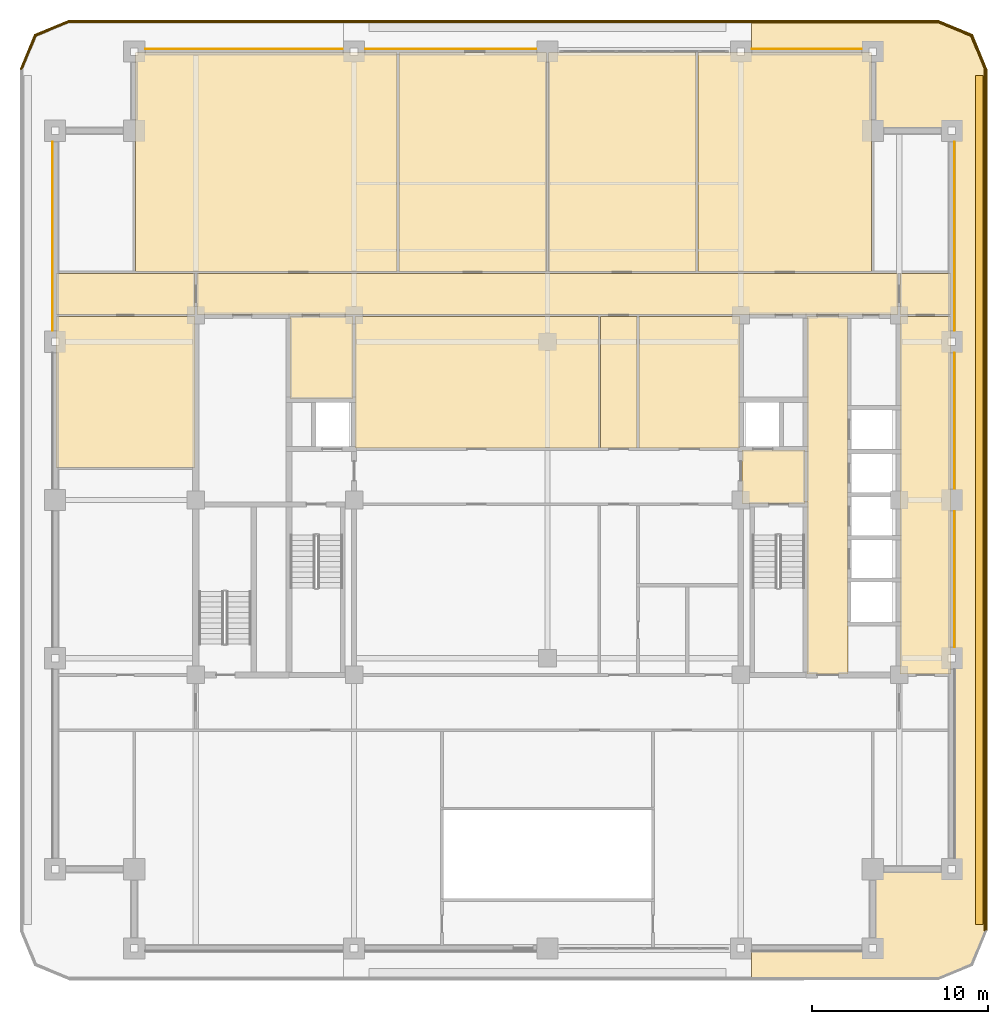
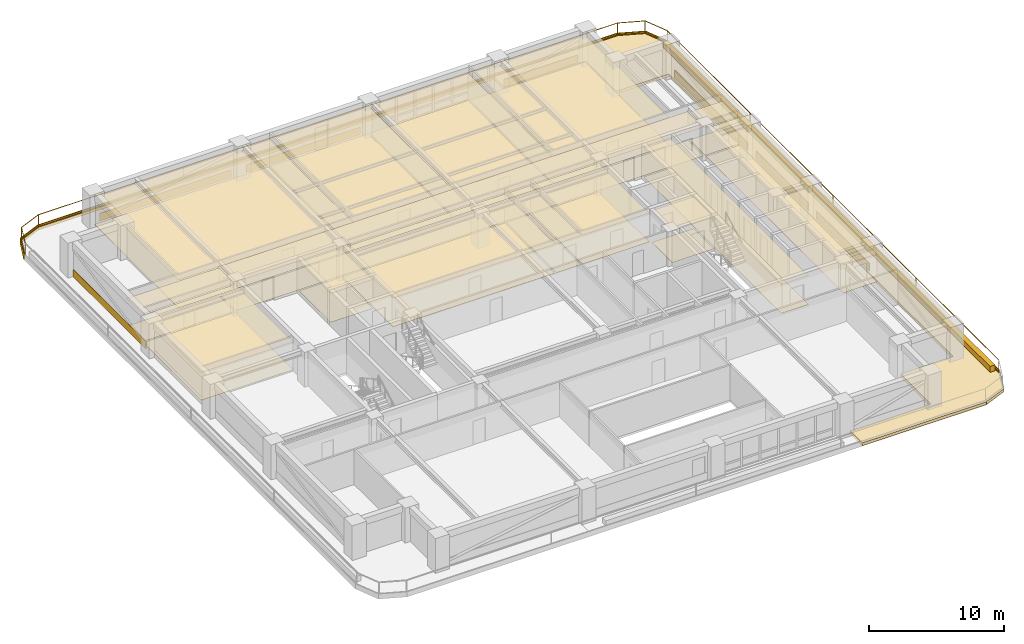
# One storey, part 17 of 17: 45 coverings, 2 railings.
"""IFC4 building model written with IfcOpenShell, lengths in metres."""

from ifc_helpers import new_model, si_unit, direction, frame, frame_2d, origin, origin_2d, place, context, subcontext, project, spatial, polyline, rectangle, outline, extrude, material, layer, layer_set, type_object, element, save


model = new_model("IFC4")

# Units and contexts
model_context = context("Model", 3, precision=1e-05, world=origin(), true_north=direction((0.0, 1.0)))
body_context = subcontext(model_context, "Body", "Model", "MODEL_VIEW")
ifc_project = project(units=[si_unit("LENGTHUNIT", "METRE"), si_unit("AREAUNIT", "SQUARE_METRE"), si_unit("VOLUMEUNIT", "CUBIC_METRE"), si_unit("PLANEANGLEUNIT", "RADIAN"), si_unit("MASSUNIT", "GRAM", prefix="KILO")], contexts=[model_context])

# Site, building, storey
site_placement = place(None, origin())
site = spatial("IfcSite", under=ifc_project, at=site_placement, CompositionType="ELEMENT")
building_placement = place(site_placement, origin())
building = spatial("IfcBuilding", under=site, at=building_placement, Name="Zulmaris Gate Convention Tower", CompositionType="ELEMENT")
storey_placement = place(building_placement, frame((0.0, 0.0, 149.909912109375)))
storey = spatial("IfcBuildingStorey", under=building, at=storey_placement, Name="L38", CompositionType="ELEMENT", Elevation=149.909912109375)

# Coverings
ifc_material_1 = material(Name="Precast concrete C40/50", Category="concrete")
ifc_layer_1 = layer(ifc_material_1, 0.0400390625, Name="Precast concrete C40/50")
ifc_layer_set_1 = layer_set([ifc_layer_1], Name="Precast concrete C40/50")
covering_type_1 = type_object("IfcCoveringType", Name="CLAD-SPANDREL-PRECAST", PredefinedType="CLADDING", material=ifc_layer_set_1)
covering_1_placement = place(storey_placement, frame((-11.6298828125, 25.64990234375, 0.0), z_axis=(0.0, 0.0, 1.0), x_axis=(-1.0, 0.0, 0.0)))
element("IfcCovering", 1, at=covering_1_placement, inside=storey, type_object=covering_type_1, Name="CLD-L38-N-0_0", PredefinedType="CLADDING", context=body_context, shape_type="SweptSolid", body=[
    extrude(rectangle(XDim=11.240234375, YDim=0.0400390625, at=frame_2d((5.6201171875, 0.0))), origin(), (0.0, 0.0, 1.0), 0.679931640625),
])
covering_2_placement = place(storey_placement, frame((-0.6298828125, 25.64990234375, 0.0), z_axis=(0.0, 0.0, 1.0), x_axis=(-1.0, 0.0, 0.0)))
element("IfcCovering", 2, at=covering_2_placement, inside=storey, type_object=covering_type_1, Name="CLD-L38-N-1_0", PredefinedType="CLADDING", context=body_context, shape_type="SweptSolid", body=[
    extrude(rectangle(XDim=9.740234375, YDim=0.0400390625, at=frame_2d((4.8701171875, 0.0))), origin(), (0.0, 0.0, 1.0), 0.679931640625),
])
covering_3_placement = place(storey_placement, frame((17.8701171875, 25.64990234375, 0.0), z_axis=(0.0, 0.0, 1.0), x_axis=(-1.0, 0.0, 0.0)))
element("IfcCovering", 3, at=covering_3_placement, inside=storey, type_object=covering_type_1, Name="CLD-L38-N-3_0", PredefinedType="CLADDING", context=body_context, shape_type="SweptSolid", body=[
    extrude(rectangle(XDim=6.240234375, YDim=0.0400390625, at=frame_2d((3.1201171875, 0.0))), origin(), (0.0, 0.0, 1.0), 0.679931640625),
])
for number, where, z_axis, x_axis, name in (
    (4, (23.14990234375, -8.3701171875, 0.0), (0.0, 0.0, 1.0), (0.0, 1.0, 0.0), "CLD-L38-E-1_0"),
    (5, (23.14990234375, 0.6298828125, 0.0), (0.0, 0.0, 1.0), (0.0, 1.0, 0.0), "CLD-L38-E-2_0"),
):
    element("IfcCovering", number, at=place(storey_placement, frame(where, z_axis=z_axis, x_axis=x_axis)), inside=storey, type_object=covering_type_1, Name=name, PredefinedType="CLADDING", context=body_context, shape_type="SweptSolid", body=[
        extrude(rectangle(XDim=7.740234375, YDim=0.0400390625, at=frame_2d((3.8701171875, 0.0))), origin(), (0.0, 0.0, 1.0), 0.679931640625),
    ])
for number, where, z_axis, x_axis, name in (
    (6, (23.14990234375, 9.6298828125, 0.0), (0.0, 0.0, 1.0), (0.0, 1.0, 0.0), "CLD-L38-E-3_0"),
    (7, (-28.14990234375, 20.3701171875, 0.0), (0.0, 0.0, 1.0), (0.0, -1.0, 0.0), "CLD-L38-W-3_0"),
):
    element("IfcCovering", number, at=place(storey_placement, frame(where, z_axis=z_axis, x_axis=x_axis)), inside=storey, type_object=covering_type_1, Name=name, PredefinedType="CLADDING", context=body_context, shape_type="SweptSolid", body=[
        extrude(rectangle(XDim=10.740234375, YDim=0.0400390625, at=frame_2d((5.3701171875, 0.0))), origin(), (0.0, 0.0, 1.0), 0.679931640625),
    ])
ifc_material_2 = material(Name="White Glazed Architectural Precast Concrete C40/50", Category="concrete")
ifc_layer_2 = layer(ifc_material_2, 0.239990234375, Name="White Glazed Architectural Precast Concrete C40/50")
ifc_layer_set_2 = layer_set([ifc_layer_2], Name="White Glazed Architectural Precast Concrete C40/50")
covering_type_2 = type_object("IfcCoveringType", Name="CLAD-TRAY-DECK", PredefinedType="CLADDING", material=ifc_layer_set_2)
covering_4_placement = place(storey_placement, frame((0.0, 0.0, -0.25)))
element("IfcCovering", 8, at=covering_4_placement, inside=storey, type_object=covering_type_2, Name="L38 East Rounded-Fascia Planter Tray Deck", PredefinedType="CLADDING", context=body_context, shape_type="SweptSolid", body=[
    extrude(outline(polyline([(22.199951171875, 27.300048828125), (24.179931640625, 26.47998046875), (25.0, 24.5), (25.0, -24.5), (24.179931640625, -26.47998046875), (22.199951171875, -27.300048828125), (11.60205078125, -27.300048828125), (11.60205078125, -25.5), (18.5, -25.5), (18.5, -21.0), (23.0, -21.0), (23.0, 21.0), (18.5, 21.0), (18.5, 25.5), (11.60205078125, 25.5), (11.60205078125, 27.300048828125), (22.199951171875, 27.300048828125)])), origin(), (0.0, 0.0, 1.0), 0.260009765625),
])
ifc_layer_3 = layer(ifc_material_2, 0.080078125, Name="White Glazed Architectural Precast Concrete C40/50")
ifc_layer_set_3 = layer_set([ifc_layer_3], Name="White Glazed Architectural Precast Concrete C40/50")
covering_type_3 = type_object("IfcCoveringType", Name="CLAD-TRAY-FASCIA", PredefinedType="CLADDING", material=ifc_layer_set_3)
covering_5_placement = place(storey_placement, frame((24.9599609375, -24.5, -0.2900390625), z_axis=(0.0, 0.0, 1.0), x_axis=(0.0, 1.0, 0.0)))
element("IfcCovering", 9, at=covering_5_placement, inside=storey, type_object=covering_type_3, Name="FSC-L38-TR-05", PredefinedType="CLADDING", context=body_context, shape_type="SweptSolid", body=[
    extrude(rectangle(XDim=49.0, YDim=0.080078125, at=frame_2d((24.5, 0.0))), origin(), (0.0, 0.0, 1.0), 0.4599609375),
])
covering_6_placement = place(storey_placement, frame((24.962890625, 24.484619140625, -0.2900390625), z_axis=(0.0, 0.0, 1.0), x_axis=(-0.382656984709, 0.923890487046, 0.0)))
element("IfcCovering", 10, at=covering_6_placement, inside=storey, type_object=covering_type_3, Name="FSC-L38-TR-06", PredefinedType="CLADDING", context=body_context, shape_type="SweptSolid", body=[
    extrude(rectangle(XDim=2.14306640625, YDim=0.080078125, at=frame_2d((1.071533203125, 0.0))), origin(), (0.0, 0.0, 1.0), 0.4599609375),
])
covering_7_placement = place(storey_placement, frame((24.16455078125, 26.44287109375, -0.2900390625), z_axis=(0.0, 0.0, 1.0), x_axis=(-0.923873803533, 0.382697263049, 0.0)))
element("IfcCovering", 11, at=covering_7_placement, inside=storey, type_object=covering_type_3, Name="FSC-L38-TR-07", PredefinedType="CLADDING", context=body_context, shape_type="SweptSolid", body=[
    extrude(rectangle(XDim=2.142822265625, YDim=0.080078125, at=frame_2d((1.0712890625, 0.0))), origin(), (0.0, 0.0, 1.0), 0.4599609375),
])
covering_8_placement = place(storey_placement, frame((22.199951171875, 27.260009765625, -0.2900390625), z_axis=(0.0, 0.0, 1.0), x_axis=(-1.0, 0.0, 0.0)))
element("IfcCovering", 12, at=covering_8_placement, inside=storey, type_object=covering_type_3, Name="FSC-L38-TR-08", PredefinedType="CLADDING", context=body_context, shape_type="SweptSolid", body=[
    extrude(rectangle(XDim=49.39990234375, YDim=0.080078125, at=frame_2d((24.699951171875, 0.0))), origin(), (0.0, 0.0, 1.0), 0.4599609375),
])
covering_9_placement = place(storey_placement, frame((-27.184814453125, 27.262939453125, -0.2900390625), z_axis=(0.0, 0.0, 1.0), x_axis=(-0.923873803533, -0.382697263049, 0.0)))
element("IfcCovering", 13, at=covering_9_placement, inside=storey, type_object=covering_type_3, Name="FSC-L38-TR-09", PredefinedType="CLADDING", context=body_context, shape_type="SweptSolid", body=[
    extrude(rectangle(XDim=2.142822265625, YDim=0.080078125, at=frame_2d((1.0712890625, 0.0))), origin(), (0.0, 0.0, 1.0), 0.4599609375),
])
covering_10_placement = place(storey_placement, frame((-29.142822265625, 26.464599609375, -0.2900390625), z_axis=(0.0, 0.0, 1.0), x_axis=(-0.382656984709, -0.923890487046, 0.0)))
element("IfcCovering", 14, at=covering_10_placement, inside=storey, type_object=covering_type_3, Name="FSC-L38-TR-10", PredefinedType="CLADDING", context=body_context, shape_type="SweptSolid", body=[
    extrude(rectangle(XDim=2.14306640625, YDim=0.080078125, at=frame_2d((1.071533203125, 0.0))), origin(), (0.0, 0.0, 1.0), 0.4599609375),
])
ifc_material_3 = material(Name="Mineral Fibre Acoustic Ceiling Tile")
ifc_layer_4 = layer(ifc_material_3, 0.02001953125, Name="Mineral Fibre Acoustic Ceiling Tile")
ifc_layer_set_4 = layer_set([ifc_layer_4], Name="Mineral Fibre Acoustic Ceiling Tile")
covering_type_4 = type_object("IfcCoveringType", Name="CLG-ACOUSTIC-600", PredefinedType="CEILING", material=ifc_layer_set_4)
covering_11_placement = place(storey_placement, frame((0.0, 0.0, 2.864990234375)))
element("IfcCovering", 15, at=covering_11_placement, inside=storey, type_object=covering_type_4, Name="CLG-L38-R08", PredefinedType="CEILING", context=body_context, shape_type="SweptSolid", body=[
    extrude(outline(polyline([(11.06005859375, -0.18994140625), (14.639892578125, -0.18994140625), (14.639892578125, 2.840087890625), (11.06005859375, 2.840087890625), (11.06005859375, -0.18994140625)])), origin(), (0.0, 0.0, 1.0), 0.02001953125),
])
covering_12_placement = place(storey_placement, frame((0.0, 0.0, 2.60302734375)))
element("IfcCovering", 16, at=covering_12_placement, inside=storey, type_object=covering_type_4, Name="CLG-L38-R11", PredefinedType="CEILING", context=body_context, shape_type="SweptSolid", body=[
    extrude(outline(polyline([(-14.639892578125, 5.760009765625), (-11.06005859375, 5.760009765625), (-11.06005859375, 10.43994140625), (-14.639892578125, 10.43994140625), (-14.639892578125, 5.760009765625)])), origin(), (0.0, 0.0, 1.0), 0.02001953125),
])
covering_13_placement = place(storey_placement, frame((0.0, 0.0, 2.60302734375)))
element("IfcCovering", 17, at=covering_13_placement, inside=storey, type_object=covering_type_4, Name="CLG-L38-R21", PredefinedType="CEILING", context=body_context, shape_type="SweptSolid", body=[
    extrude(outline(polyline([(14.760009765625, -9.889892578125), (17.090087890625, -9.889892578125), (17.090087890625, 10.43994140625), (14.760009765625, 10.43994140625), (14.760009765625, -9.889892578125)])), origin(), (0.0, 0.0, 1.0), 0.02001953125),
])
covering_14_placement = place(storey_placement, frame((0.0, 0.0, 2.60302734375)))
element("IfcCovering", 18, at=covering_14_placement, inside=storey, type_object=covering_type_4, Name="CLG-L38-R25", PredefinedType="CEILING", context=body_context, shape_type="SweptSolid", body=[
    extrude(outline(polyline([(-19.93994140625, 10.56005859375), (19.93994140625, 10.56005859375), (19.93994140625, 12.889892578125), (-19.93994140625, 12.889892578125), (-19.93994140625, 10.56005859375)])), origin(), (0.0, 0.0, 1.0), 0.02001953125),
])
covering_15_placement = place(storey_placement, frame((0.0, 0.0, 2.60302734375)))
element("IfcCovering", 19, at=covering_15_placement, inside=storey, type_object=covering_type_4, Name="CLG-L38-R28", PredefinedType="CEILING", context=body_context, shape_type="SweptSolid", body=[
    extrude(outline(polyline([(3.010009765625, 2.9599609375), (5.090087890625, 2.9599609375), (5.090087890625, 10.43994140625), (3.010009765625, 10.43994140625), (3.010009765625, 2.9599609375)])), origin(), (0.0, 0.0, 1.0), 0.02001953125),
])
covering_16_placement = place(storey_placement, frame((0.0, 0.0, 2.505126953125)))
element("IfcCovering", 20, at=covering_16_placement, inside=storey, type_object=covering_type_4, Name="CLG-L38-R30", PredefinedType="CEILING", context=body_context, shape_type="SweptSolid", body=[
    extrude(outline(polyline([(-23.43994140625, 13.010009765625), (-8.56005859375, 13.010009765625), (-8.56005859375, 25.43994140625), (-23.43994140625, 25.43994140625), (-23.43994140625, 13.010009765625)])), origin(), (0.0, 0.0, 1.0), 0.02001953125),
])
covering_17_placement = place(storey_placement, frame((0.0, 0.0, 2.505126953125)))
element("IfcCovering", 21, at=covering_17_placement, inside=storey, type_object=covering_type_4, Name="CLG-L38-R31", PredefinedType="CEILING", context=body_context, shape_type="SweptSolid", body=[
    extrude(outline(polyline([(-8.43994140625, 13.010009765625), (-0.06005859375, 13.010009765625), (-0.06005859375, 25.43994140625), (-8.43994140625, 25.43994140625), (-8.43994140625, 13.010009765625)])), origin(), (0.0, 0.0, 1.0), 0.02001953125),
])
covering_18_placement = place(storey_placement, frame((0.0, 0.0, 2.505126953125)))
element("IfcCovering", 22, at=covering_18_placement, inside=storey, type_object=covering_type_4, Name="CLG-L38-R32", PredefinedType="CEILING", context=body_context, shape_type="SweptSolid", body=[
    extrude(outline(polyline([(0.06005859375, 13.010009765625), (8.43994140625, 13.010009765625), (8.43994140625, 25.43994140625), (0.06005859375, 25.43994140625), (0.06005859375, 13.010009765625)])), origin(), (0.0, 0.0, 1.0), 0.02001953125),
])
covering_19_placement = place(storey_placement, frame((0.0, 0.0, 2.505126953125)))
element("IfcCovering", 23, at=covering_19_placement, inside=storey, type_object=covering_type_4, Name="CLG-L38-R33", PredefinedType="CEILING", context=body_context, shape_type="SweptSolid", body=[
    extrude(outline(polyline([(8.56005859375, 13.010009765625), (18.43994140625, 13.010009765625), (18.43994140625, 25.43994140625), (8.56005859375, 25.43994140625), (8.56005859375, 13.010009765625)])), origin(), (0.0, 0.0, 1.0), 0.02001953125),
])
covering_20_placement = place(storey_placement, frame((0.0, 0.0, 2.60302734375)))
element("IfcCovering", 24, at=covering_20_placement, inside=storey, type_object=covering_type_4, Name="CLG-L38-R38", PredefinedType="CEILING", context=body_context, shape_type="SweptSolid", body=[
    extrude(outline(polyline([(-10.93994140625, 2.9599609375), (2.889892578125, 2.9599609375), (2.889892578125, 10.43994140625), (-10.93994140625, 10.43994140625), (-10.93994140625, 2.9599609375)])), origin(), (0.0, 0.0, 1.0), 0.02001953125),
])
covering_21_placement = place(storey_placement, frame((0.0, 0.0, 2.60302734375)))
element("IfcCovering", 25, at=covering_21_placement, inside=storey, type_object=covering_type_4, Name="CLG-L38-R39", PredefinedType="CEILING", context=body_context, shape_type="SweptSolid", body=[
    extrude(outline(polyline([(5.2099609375, 2.9599609375), (10.93994140625, 2.9599609375), (10.93994140625, 10.43994140625), (5.2099609375, 10.43994140625), (5.2099609375, 2.9599609375)])), origin(), (0.0, 0.0, 1.0), 0.02001953125),
])
covering_22_placement = place(storey_placement, frame((0.0, 0.0, 2.505126953125)))
element("IfcCovering", 26, at=covering_22_placement, inside=storey, type_object=covering_type_4, Name="CLG-L38-R44", PredefinedType="CEILING", context=body_context, shape_type="SweptSolid", body=[
    extrude(outline(polyline([(-27.93994140625, 10.56005859375), (-20.06005859375, 10.56005859375), (-20.06005859375, 12.889892578125), (-27.93994140625, 12.889892578125), (-27.93994140625, 10.56005859375)])), origin(), (0.0, 0.0, 1.0), 0.02001953125),
])
covering_23_placement = place(storey_placement, frame((0.0, 0.0, 2.505126953125)))
element("IfcCovering", 27, at=covering_23_placement, inside=storey, type_object=covering_type_4, Name="CLG-L38-R46", PredefinedType="CEILING", context=body_context, shape_type="SweptSolid", body=[
    extrude(outline(polyline([(-27.93994140625, 1.860107421875), (-20.06005859375, 1.860107421875), (-20.06005859375, 10.43994140625), (-27.93994140625, 10.43994140625), (-27.93994140625, 1.860107421875)])), origin(), (0.0, 0.0, 1.0), 0.02001953125),
])
covering_24_placement = place(storey_placement, frame((0.0, 0.0, 2.505126953125)))
element("IfcCovering", 28, at=covering_24_placement, inside=storey, type_object=covering_type_4, Name="CLG-L38-R48", PredefinedType="CEILING", context=body_context, shape_type="SweptSolid", body=[
    extrude(outline(polyline([(20.06005859375, 10.56005859375), (22.93994140625, 10.56005859375), (22.93994140625, 12.889892578125), (20.06005859375, 12.889892578125), (20.06005859375, 10.56005859375)])), origin(), (0.0, 0.0, 1.0), 0.02001953125),
])
covering_25_placement = place(storey_placement, frame((0.0, 0.0, 2.505126953125)))
element("IfcCovering", 29, at=covering_25_placement, inside=storey, type_object=covering_type_4, Name="CLG-L38-R50", PredefinedType="CEILING", context=body_context, shape_type="SweptSolid", body=[
    extrude(outline(polyline([(20.06005859375, -9.889892578125), (22.93994140625, -9.889892578125), (22.93994140625, 10.43994140625), (20.06005859375, 10.43994140625), (20.06005859375, -9.889892578125)])), origin(), (0.0, 0.0, 1.0), 0.02001953125),
])
ifc_material_4 = material(Name="Woven Acoustic Wool Carpet Tile")
ifc_layer_5 = layer(ifc_material_4, 0.02001953125, Name="Woven Acoustic Wool Carpet Tile")
ifc_layer_set_5 = layer_set([ifc_layer_5], Name="Woven Acoustic Wool Carpet Tile")
covering_type_5 = type_object("IfcCoveringType", Name="FLR-CARPET-12", PredefinedType="FLOORING", material=ifc_layer_set_5)
covering_26_placement = place(storey_placement, origin())
element("IfcCovering", 30, at=covering_26_placement, inside=storey, type_object=covering_type_5, Name="FLR-L38-R08", PredefinedType="FLOORING", context=body_context, shape_type="SweptSolid", body=[
    extrude(outline(polyline([(11.06005859375, -0.18994140625), (14.639892578125, -0.18994140625), (14.639892578125, 2.840087890625), (11.06005859375, 2.840087890625), (11.06005859375, -0.18994140625)])), origin(), (0.0, 0.0, 1.0), 0.02001953125),
])
covering_27_placement = place(storey_placement, origin())
element("IfcCovering", 31, at=covering_27_placement, inside=storey, type_object=covering_type_5, Name="FLR-L38-R11", PredefinedType="FLOORING", context=body_context, shape_type="SweptSolid", body=[
    extrude(outline(polyline([(-14.639892578125, 5.760009765625), (-11.06005859375, 5.760009765625), (-11.06005859375, 10.43994140625), (-14.639892578125, 10.43994140625), (-14.639892578125, 5.760009765625)])), origin(), (0.0, 0.0, 1.0), 0.02001953125),
])
covering_28_placement = place(storey_placement, origin())
element("IfcCovering", 32, at=covering_28_placement, inside=storey, type_object=covering_type_5, Name="FLR-L38-R21", PredefinedType="FLOORING", context=body_context, shape_type="SweptSolid", body=[
    extrude(outline(polyline([(14.760009765625, -9.889892578125), (17.090087890625, -9.889892578125), (17.090087890625, 10.43994140625), (14.760009765625, 10.43994140625), (14.760009765625, -9.889892578125)])), origin(), (0.0, 0.0, 1.0), 0.02001953125),
])
covering_29_placement = place(storey_placement, origin())
element("IfcCovering", 33, at=covering_29_placement, inside=storey, type_object=covering_type_5, Name="FLR-L38-R25", PredefinedType="FLOORING", context=body_context, shape_type="SweptSolid", body=[
    extrude(outline(polyline([(-19.93994140625, 10.56005859375), (19.93994140625, 10.56005859375), (19.93994140625, 12.889892578125), (-19.93994140625, 12.889892578125), (-19.93994140625, 10.56005859375)])), origin(), (0.0, 0.0, 1.0), 0.02001953125),
])
covering_30_placement = place(storey_placement, origin())
element("IfcCovering", 34, at=covering_30_placement, inside=storey, type_object=covering_type_5, Name="FLR-L38-R28", PredefinedType="FLOORING", context=body_context, shape_type="SweptSolid", body=[
    extrude(outline(polyline([(3.010009765625, 2.9599609375), (5.090087890625, 2.9599609375), (5.090087890625, 10.43994140625), (3.010009765625, 10.43994140625), (3.010009765625, 2.9599609375)])), origin(), (0.0, 0.0, 1.0), 0.02001953125),
])
covering_31_placement = place(storey_placement, origin())
element("IfcCovering", 35, at=covering_31_placement, inside=storey, type_object=covering_type_5, Name="FLR-L38-R30", PredefinedType="FLOORING", context=body_context, shape_type="SweptSolid", body=[
    extrude(outline(polyline([(-23.43994140625, 13.010009765625), (-8.56005859375, 13.010009765625), (-8.56005859375, 25.43994140625), (-23.43994140625, 25.43994140625), (-23.43994140625, 13.010009765625)])), origin(), (0.0, 0.0, 1.0), 0.02001953125),
])
covering_32_placement = place(storey_placement, origin())
element("IfcCovering", 36, at=covering_32_placement, inside=storey, type_object=covering_type_5, Name="FLR-L38-R31", PredefinedType="FLOORING", context=body_context, shape_type="SweptSolid", body=[
    extrude(outline(polyline([(-8.43994140625, 13.010009765625), (-0.06005859375, 13.010009765625), (-0.06005859375, 25.43994140625), (-8.43994140625, 25.43994140625), (-8.43994140625, 13.010009765625)])), origin(), (0.0, 0.0, 1.0), 0.02001953125),
])
covering_33_placement = place(storey_placement, origin())
element("IfcCovering", 37, at=covering_33_placement, inside=storey, type_object=covering_type_5, Name="FLR-L38-R32", PredefinedType="FLOORING", context=body_context, shape_type="SweptSolid", body=[
    extrude(outline(polyline([(0.06005859375, 13.010009765625), (8.43994140625, 13.010009765625), (8.43994140625, 25.43994140625), (0.06005859375, 25.43994140625), (0.06005859375, 13.010009765625)])), origin(), (0.0, 0.0, 1.0), 0.02001953125),
])
covering_34_placement = place(storey_placement, origin())
element("IfcCovering", 38, at=covering_34_placement, inside=storey, type_object=covering_type_5, Name="FLR-L38-R33", PredefinedType="FLOORING", context=body_context, shape_type="SweptSolid", body=[
    extrude(outline(polyline([(8.56005859375, 13.010009765625), (18.43994140625, 13.010009765625), (18.43994140625, 25.43994140625), (8.56005859375, 25.43994140625), (8.56005859375, 13.010009765625)])), origin(), (0.0, 0.0, 1.0), 0.02001953125),
])
covering_35_placement = place(storey_placement, origin())
element("IfcCovering", 39, at=covering_35_placement, inside=storey, type_object=covering_type_5, Name="FLR-L38-R39", PredefinedType="FLOORING", context=body_context, shape_type="SweptSolid", body=[
    extrude(outline(polyline([(5.2099609375, 2.9599609375), (10.93994140625, 2.9599609375), (10.93994140625, 10.43994140625), (5.2099609375, 10.43994140625), (5.2099609375, 2.9599609375)])), origin(), (0.0, 0.0, 1.0), 0.02001953125),
])
covering_36_placement = place(storey_placement, origin())
element("IfcCovering", 40, at=covering_36_placement, inside=storey, type_object=covering_type_5, Name="FLR-L38-R44", PredefinedType="FLOORING", context=body_context, shape_type="SweptSolid", body=[
    extrude(outline(polyline([(-27.93994140625, 10.56005859375), (-20.06005859375, 10.56005859375), (-20.06005859375, 12.889892578125), (-27.93994140625, 12.889892578125), (-27.93994140625, 10.56005859375)])), origin(), (0.0, 0.0, 1.0), 0.02001953125),
])
covering_37_placement = place(storey_placement, origin())
element("IfcCovering", 41, at=covering_37_placement, inside=storey, type_object=covering_type_5, Name="FLR-L38-R46", PredefinedType="FLOORING", context=body_context, shape_type="SweptSolid", body=[
    extrude(outline(polyline([(-27.93994140625, 1.860107421875), (-20.06005859375, 1.860107421875), (-20.06005859375, 10.43994140625), (-27.93994140625, 10.43994140625), (-27.93994140625, 1.860107421875)])), origin(), (0.0, 0.0, 1.0), 0.02001953125),
])
covering_38_placement = place(storey_placement, origin())
element("IfcCovering", 42, at=covering_38_placement, inside=storey, type_object=covering_type_5, Name="FLR-L38-R48", PredefinedType="FLOORING", context=body_context, shape_type="SweptSolid", body=[
    extrude(outline(polyline([(20.06005859375, 10.56005859375), (22.93994140625, 10.56005859375), (22.93994140625, 12.889892578125), (20.06005859375, 12.889892578125), (20.06005859375, 10.56005859375)])), origin(), (0.0, 0.0, 1.0), 0.02001953125),
])
covering_39_placement = place(storey_placement, origin())
element("IfcCovering", 43, at=covering_39_placement, inside=storey, type_object=covering_type_5, Name="FLR-L38-R50", PredefinedType="FLOORING", context=body_context, shape_type="SweptSolid", body=[
    extrude(outline(polyline([(20.06005859375, -9.889892578125), (22.93994140625, -9.889892578125), (22.93994140625, 10.43994140625), (20.06005859375, 10.43994140625), (20.06005859375, -9.889892578125)])), origin(), (0.0, 0.0, 1.0), 0.02001953125),
])
ifc_material_5 = material(Name="Polished Granite Terrazzo Tile", Category="masonry")
ifc_layer_6 = layer(ifc_material_5, 0.02001953125, Name="Polished Granite Terrazzo Tile")
ifc_layer_set_6 = layer_set([ifc_layer_6], Name="Polished Granite Terrazzo Tile")
covering_type_6 = type_object("IfcCoveringType", Name="FLR-TERRAZZO-30", PredefinedType="FLOORING", material=ifc_layer_set_6)
covering_40_placement = place(storey_placement, origin())
element("IfcCovering", 44, at=covering_40_placement, inside=storey, type_object=covering_type_6, Name="FLR-L38-R38", PredefinedType="FLOORING", context=body_context, shape_type="SweptSolid", body=[
    extrude(outline(polyline([(-10.93994140625, 2.9599609375), (2.889892578125, 2.9599609375), (2.889892578125, 10.43994140625), (-10.93994140625, 10.43994140625), (-10.93994140625, 2.9599609375)])), origin(), (0.0, 0.0, 1.0), 0.02001953125),
])
ifc_material_6 = material(Name="Botanical Green Glazed Precast Concrete C40/50", Category="concrete")
ifc_layer_7 = layer(ifc_material_6, 0.419921875, Name="Botanical Green Glazed Precast Concrete C40/50")
ifc_layer_set_7 = layer_set([ifc_layer_7], Name="Botanical Green Glazed Precast Concrete C40/50")
covering_type_7 = type_object("IfcCoveringType", Name="PLANTER-BOX-200", PredefinedType="CLADDING", material=ifc_layer_set_7)
covering_41_placement = place(storey_placement, frame((0.0, 0.0, 0.010009765625)))
element("IfcCovering", 45, at=covering_41_placement, inside=storey, type_object=covering_type_7, Name="L38 E Full-Length Balcony Tree Planter Trough", PredefinedType="CLADDING", context=body_context, shape_type="SweptSolid", body=[
    extrude(outline(polyline([(24.340087890625, -24.14990234375), (24.760009765625, -24.14990234375), (24.760009765625, 24.14990234375), (24.340087890625, 24.14990234375), (24.340087890625, -24.14990234375)])), origin(), (0.0, 0.0, 1.0), 0.52001953125),
])

# Railings
ifc_material_7 = material(Name="Laminated Glass and Stainless Steel", Category="steel")
railing_type = type_object("IfcRailingType", Name="RL-BALC-1150", PredefinedType="BALUSTRADE", material=ifc_material_7)
railing_1_placement = place(storey_placement, frame((24.8798828125, -24.5, 0.010009765625)))
element("IfcRailing", 46, at=railing_1_placement, inside=storey, type_object=railing_type, Name="RL-L38-BALC-E", PredefinedType="BALUSTRADE", context=body_context, shape_type="SweptSolid", body=[
    extrude(rectangle(XDim=0.048095703125, YDim=0.048095703125, at=origin_2d()), frame((0.0, 0.0, 1.1259765625), z_axis=(0.0, 1.0, 0.0), x_axis=(-1.0, 0.0, 0.0)), (0.0, 0.0, 1.0), 49.0),
    extrude(rectangle(XDim=0.048095703125, YDim=0.048095703125, at=origin_2d()), frame((0.0, 0.0, 0.02392578125), z_axis=(0.0, 1.0, 0.0), x_axis=(-1.0, 0.0, 0.0)), (0.0, 0.0, 1.0), 49.0),
    extrude(rectangle(XDim=0.0419921875, YDim=0.0419921875, at=origin_2d()), origin(), (0.0, 0.0, 1.0), 1.101806640625),
    extrude(rectangle(XDim=0.0419921875, YDim=0.0419921875, at=origin_2d()), frame((0.0, 12.25, 0.0)), (0.0, 0.0, 1.0), 1.101806640625),
    extrude(rectangle(XDim=0.0419921875, YDim=0.0419921875, at=origin_2d()), frame((0.0, 24.5, 0.0)), (0.0, 0.0, 1.0), 1.101806640625),
    extrude(rectangle(XDim=0.0419921875, YDim=0.0419921875, at=origin_2d()), frame((0.0, 36.75, 0.0)), (0.0, 0.0, 1.0), 1.101806640625),
    extrude(rectangle(XDim=0.0419921875, YDim=0.0419921875, at=origin_2d()), frame((0.0, 49.0, 0.0)), (0.0, 0.0, 1.0), 1.101806640625),
])
railing_2_placement = place(storey_placement, frame((24.8798828125, 24.5, 0.010009765625)))
element("IfcRailing", 47, at=railing_2_placement, inside=storey, type_object=railing_type, Name="RL-L38-BALC-N", PredefinedType="BALUSTRADE", context=body_context, shape_type="SweptSolid", body=[
    extrude(rectangle(XDim=0.048095703125, YDim=0.048095703125, at=origin_2d()), frame((0.0, 0.0, 1.1259765625), z_axis=(-0.382670664694, 0.92388482095, 0.0), x_axis=(-0.92388482095, -0.382670664694, 0.0)), (0.0, 0.0, 1.0), 2.051025390625),
    extrude(rectangle(XDim=0.048095703125, YDim=0.048095703125, at=origin_2d()), frame((0.0, 0.0, 0.02392578125), z_axis=(-0.382670664694, 0.92388482095, 0.0), x_axis=(-0.92388482095, -0.382670664694, 0.0)), (0.0, 0.0, 1.0), 2.051025390625),
    extrude(rectangle(XDim=0.048095703125, YDim=0.048095703125, at=origin_2d()), frame((-0.784912109375, 1.89501953125, 1.1259765625), z_axis=(-0.92388482095, 0.382670664694, 0.0), x_axis=(-0.382670664694, -0.92388482095, 0.0)), (0.0, 0.0, 1.0), 2.051025390625),
    extrude(rectangle(XDim=0.048095703125, YDim=0.048095703125, at=origin_2d()), frame((-0.784912109375, 1.89501953125, 0.02392578125), z_axis=(-0.92388482095, 0.382670664694, 0.0), x_axis=(-0.382670664694, -0.92388482095, 0.0)), (0.0, 0.0, 1.0), 2.051025390625),
    extrude(rectangle(XDim=0.048095703125, YDim=0.048095703125, at=origin_2d()), frame((-2.679931640625, 2.679931640625, 1.1259765625), z_axis=(-1.0, 0.0, 0.0), x_axis=(0.0, -1.0, 0.0)), (0.0, 0.0, 1.0), 49.39990234375),
    extrude(rectangle(XDim=0.048095703125, YDim=0.048095703125, at=origin_2d()), frame((-2.679931640625, 2.679931640625, 0.02392578125), z_axis=(-1.0, 0.0, 0.0), x_axis=(0.0, -1.0, 0.0)), (0.0, 0.0, 1.0), 49.39990234375),
    extrude(rectangle(XDim=0.048095703125, YDim=0.048095703125, at=origin_2d()), frame((-52.079833984375, 2.679931640625, 1.1259765625), z_axis=(-0.92388482095, -0.382670664694, 0.0), x_axis=(0.382670664694, -0.92388482095, 0.0)), (0.0, 0.0, 1.0), 2.051025390625),
    extrude(rectangle(XDim=0.048095703125, YDim=0.048095703125, at=origin_2d()), frame((-52.079833984375, 2.679931640625, 0.02392578125), z_axis=(-0.92388482095, -0.382670664694, 0.0), x_axis=(0.382670664694, -0.92388482095, 0.0)), (0.0, 0.0, 1.0), 2.051025390625),
    extrude(rectangle(XDim=0.048095703125, YDim=0.048095703125, at=origin_2d()), frame((-53.974853515625, 1.89501953125, 1.1259765625), z_axis=(-0.382670664694, -0.92388482095, 0.0), x_axis=(0.92388482095, -0.382670664694, 0.0)), (0.0, 0.0, 1.0), 2.051025390625),
    extrude(rectangle(XDim=0.048095703125, YDim=0.048095703125, at=origin_2d()), frame((-53.974853515625, 1.89501953125, 0.02392578125), z_axis=(-0.382670664694, -0.92388482095, 0.0), x_axis=(0.92388482095, -0.382670664694, 0.0)), (0.0, 0.0, 1.0), 2.051025390625),
    extrude(rectangle(XDim=0.0419921875, YDim=0.0419921875, at=origin_2d()), origin(), (0.0, 0.0, 1.0), 1.101806640625),
    extrude(rectangle(XDim=0.0419921875, YDim=0.0419921875, at=origin_2d()), frame((-0.784912109375, 1.89501953125, 0.0)), (0.0, 0.0, 1.0), 1.101806640625),
    extrude(rectangle(XDim=0.0419921875, YDim=0.0419921875, at=origin_2d()), frame((-2.679931640625, 2.679931640625, 0.0)), (0.0, 0.0, 1.0), 1.101806640625),
    extrude(rectangle(XDim=0.0419921875, YDim=0.0419921875, at=origin_2d()), frame((-15.02978515625, 2.679931640625, 0.0)), (0.0, 0.0, 1.0), 1.101806640625),
    extrude(rectangle(XDim=0.0419921875, YDim=0.0419921875, at=origin_2d()), frame((-27.3798828125, 2.679931640625, 0.0)), (0.0, 0.0, 1.0), 1.101806640625),
    extrude(rectangle(XDim=0.0419921875, YDim=0.0419921875, at=origin_2d()), frame((-39.72998046875, 2.679931640625, 0.0)), (0.0, 0.0, 1.0), 1.101806640625),
    extrude(rectangle(XDim=0.0419921875, YDim=0.0419921875, at=origin_2d()), frame((-52.079833984375, 2.679931640625, 0.0)), (0.0, 0.0, 1.0), 1.101806640625),
    extrude(rectangle(XDim=0.0419921875, YDim=0.0419921875, at=origin_2d()), frame((-53.974853515625, 1.89501953125, 0.0)), (0.0, 0.0, 1.0), 1.101806640625),
    extrude(rectangle(XDim=0.0419921875, YDim=0.0419921875, at=origin_2d()), frame((-54.759765625, 0.0, 0.0)), (0.0, 0.0, 1.0), 1.101806640625),
])

save(model, "model.ifc")
